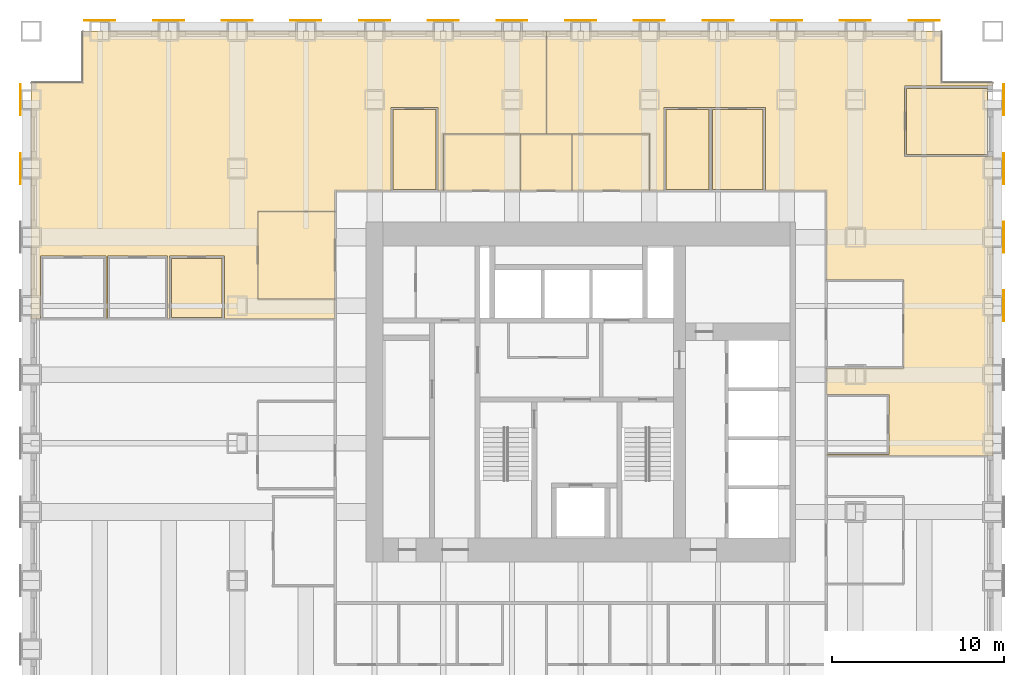
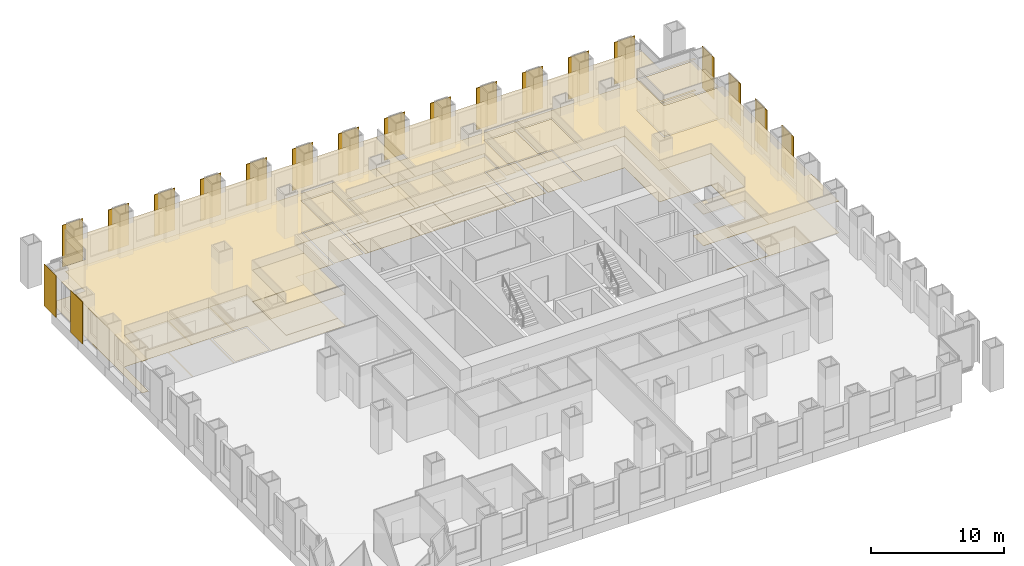
# One storey, part 14 of 14: 21 coverings, 19 shading devices.
"""IFC4 building model written with IfcOpenShell, lengths in metres."""

from ifc_helpers import new_model, si_unit, direction, frame, origin, origin_2d, place, context, subcontext, project, spatial, polyline, rectangle, outline, extrude, material, layer, layer_set, type_object, element, save


model = new_model("IFC4")

# Units and contexts
model_context = context("Model", 3, precision=1e-05, world=origin(), true_north=direction((0.0, 1.0)))
body_context = subcontext(model_context, "Body", "Model", "MODEL_VIEW")
ifc_project = project(units=[si_unit("LENGTHUNIT", "METRE"), si_unit("AREAUNIT", "SQUARE_METRE"), si_unit("VOLUMEUNIT", "CUBIC_METRE"), si_unit("PLANEANGLEUNIT", "RADIAN"), si_unit("MASSUNIT", "GRAM", prefix="KILO")], contexts=[model_context])

# Site, building, storey
site_placement = place(None, origin())
site = spatial("IfcSite", under=ifc_project, at=site_placement, CompositionType="ELEMENT")
building_placement = place(site_placement, origin())
building = spatial("IfcBuilding", under=site, at=building_placement, Name="Rimbunsela Tower", CompositionType="ELEMENT")
storey_placement = place(building_placement, frame((0.0, 0.0, 59.0)))
storey = spatial("IfcBuildingStorey", under=building, at=storey_placement, Name="L14", CompositionType="ELEMENT", Elevation=59.0)

# Coverings
ifc_material_1 = material(Name="Nylon carpet tile", Category="textile")
ifc_layer_1 = layer(ifc_material_1, 0.010009765625)
ifc_layer_set_1 = layer_set([ifc_layer_1], Name="Carpet tile 10")
covering_type_1 = type_object("IfcCoveringType", Name="Carpet tile 10", PredefinedType="FLOORING", material=ifc_layer_set_1)
covering_1_placement = place(storey_placement, origin())
element("IfcCovering", 1, at=covering_1_placement, inside=storey, type_object=covering_type_1, Name="Floor finish Open office", PredefinedType="FLOORING", context=body_context, shape_type="SweptSolid", body=[
    extrude(outline(polyline([(11.199951171875, 37.5), (11.199951171875, 32.39990234375), (15.699951171875, 32.39990234375), (15.699951171875, 31.2509765625), (9.25, 31.2509765625), (9.25, 34.89990234375), (6.050048828125, 34.89990234375), (6.050048828125, 31.2509765625), (5.949951171875, 31.2509765625), (5.949951171875, 34.89990234375), (2.449951171875, 34.89990234375), (2.449951171875, 31.2509765625), (2.35009765625, 31.2509765625), (2.35009765625, 34.89990234375), (-1.449951171875, 34.89990234375), (-1.449951171875, 31.2509765625), (-2.0, 31.2509765625), (-2.0, 45.0), (1.0, 45.0), (1.0, 48.0), (15.699951171875, 48.0), (27.9990234375, 48.0), (27.9990234375, 42.0), (22.0, 42.0), (22.0, 38.699951171875), (21.699951171875, 38.699951171875), (21.699951171875, 43.550048828125), (18.949951171875, 43.550048828125), (18.949951171875, 38.699951171875), (15.699951171875, 38.699951171875), (15.699951171875, 37.5), (11.199951171875, 37.5)])), origin(), (0.0, 0.0, 1.0), 0.010009765625),
])
covering_2_placement = place(storey_placement, origin())
element("IfcCovering", 2, at=covering_2_placement, inside=storey, type_object=covering_type_1, Name="Floor finish Open office", PredefinedType="FLOORING", context=body_context, shape_type="SweptSolid", body=[
    extrude(outline(polyline([(48.85009765625, 44.800048828125), (48.85009765625, 40.699951171875), (54.0, 40.699951171875), (54.0, 23.2509765625), (44.300048828125, 23.2509765625), (44.300048828125, 23.35009765625), (47.949951171875, 23.35009765625), (47.949951171875, 26.85009765625), (44.300048828125, 26.85009765625), (44.300048828125, 28.39990234375), (48.800048828125, 28.39990234375), (48.800048828125, 33.5), (44.300048828125, 33.5), (44.300048828125, 38.699951171875), (40.75, 38.699951171875), (40.75, 43.550048828125), (37.60009765625, 43.550048828125), (37.550048828125, 43.550048828125), (34.85009765625, 43.550048828125), (34.85009765625, 38.699951171875), (34.0, 38.699951171875), (34.0, 42.0), (28.0009765625, 42.0), (28.0009765625, 48.0), (44.300048828125, 48.0), (51.0, 48.0), (51.0, 45.0), (54.0, 45.0), (54.0, 44.800048828125), (48.85009765625, 44.800048828125)])), origin(), (0.0, 0.0, 1.0), 0.010009765625),
])
covering_3_placement = place(storey_placement, origin())
element("IfcCovering", 3, at=covering_3_placement, inside=storey, type_object=covering_type_1, Name="Floor finish Reception", PredefinedType="FLOORING", context=body_context, shape_type="SweptSolid", body=[
    extrude(outline(polyline([(15.699951171875, 32.39990234375), (15.699951171875, 37.5), (11.199951171875, 37.5), (11.199951171875, 32.39990234375), (15.699951171875, 32.39990234375)])), origin(), (0.0, 0.0, 1.0), 0.010009765625),
])
covering_4_placement = place(storey_placement, origin())
element("IfcCovering", 4, at=covering_4_placement, inside=storey, type_object=covering_type_1, Name="Floor finish Meeting room", PredefinedType="FLOORING", context=body_context, shape_type="SweptSolid", body=[
    extrude(outline(polyline([(53.699951171875, 40.824951171875), (53.699951171875, 44.675048828125), (48.97509765625, 44.675048828125), (48.97509765625, 40.824951171875), (53.699951171875, 40.824951171875)])), origin(), (0.0, 0.0, 1.0), 0.010009765625),
])
covering_5_placement = place(storey_placement, origin())
element("IfcCovering", 5, at=covering_5_placement, inside=storey, type_object=covering_type_1, Name="Floor finish Print and copy room", PredefinedType="FLOORING", context=body_context, shape_type="SweptSolid", body=[
    extrude(outline(polyline([(21.574951171875, 38.77490234375), (21.574951171875, 43.425048828125), (19.074951171875, 43.425048828125), (19.074951171875, 38.77490234375), (21.574951171875, 38.77490234375)])), origin(), (0.0, 0.0, 1.0), 0.010009765625),
])
covering_6_placement = place(storey_placement, origin())
element("IfcCovering", 6, at=covering_6_placement, inside=storey, type_object=covering_type_1, Name="Floor finish Office", PredefinedType="FLOORING", context=body_context, shape_type="SweptSolid", body=[
    extrude(outline(polyline([(9.125, 31.324951171875), (9.125, 34.77490234375), (6.175048828125, 34.77490234375), (6.175048828125, 31.324951171875), (9.125, 31.324951171875)])), origin(), (0.0, 0.0, 1.0), 0.010009765625),
])
covering_7_placement = place(storey_placement, origin())
element("IfcCovering", 7, at=covering_7_placement, inside=storey, type_object=covering_type_1, Name="Floor finish Print and copy room", PredefinedType="FLOORING", context=body_context, shape_type="SweptSolid", body=[
    extrude(outline(polyline([(37.47509765625, 38.77490234375), (37.47509765625, 43.425048828125), (34.97509765625, 43.425048828125), (34.97509765625, 38.77490234375), (37.47509765625, 38.77490234375)])), origin(), (0.0, 0.0, 1.0), 0.010009765625),
])
covering_8_placement = place(storey_placement, origin())
element("IfcCovering", 8, at=covering_8_placement, inside=storey, type_object=covering_type_1, Name="Floor finish Office", PredefinedType="FLOORING", context=body_context, shape_type="SweptSolid", body=[
    extrude(outline(polyline([(40.625, 38.77490234375), (40.625, 43.425048828125), (37.675048828125, 43.425048828125), (37.675048828125, 38.77490234375), (40.625, 38.77490234375)])), origin(), (0.0, 0.0, 1.0), 0.010009765625),
])
ifc_material_2 = material(Name="Mineral fibre ceiling tile", Category="gypsum")
ifc_layer_2 = layer(ifc_material_2, 0.02001953125)
ifc_layer_set_2 = layer_set([ifc_layer_2], Name="Ceiling 600 grid")
covering_type_2 = type_object("IfcCoveringType", Name="Ceiling 600 grid", PredefinedType="CEILING", material=ifc_layer_set_2)
covering_9_placement = place(storey_placement, frame((0.0, 0.0, 2.89990234375)))
element("IfcCovering", 9, at=covering_9_placement, inside=storey, type_object=covering_type_2, Name="Ceiling Open office", PredefinedType="CEILING", context=body_context, shape_type="SweptSolid", body=[
    extrude(outline(polyline([(11.199951171875, 37.5), (11.199951171875, 32.39990234375), (15.699951171875, 32.39990234375), (15.699951171875, 31.2509765625), (9.25, 31.2509765625), (9.25, 34.89990234375), (6.050048828125, 34.89990234375), (6.050048828125, 31.2509765625), (5.949951171875, 31.2509765625), (5.949951171875, 34.89990234375), (2.449951171875, 34.89990234375), (2.449951171875, 31.2509765625), (2.35009765625, 31.2509765625), (2.35009765625, 34.89990234375), (-1.449951171875, 34.89990234375), (-1.449951171875, 31.2509765625), (-2.0, 31.2509765625), (-2.0, 45.0), (1.0, 45.0), (1.0, 48.0), (15.699951171875, 48.0), (27.9990234375, 48.0), (27.9990234375, 42.0), (22.0, 42.0), (22.0, 38.699951171875), (21.699951171875, 38.699951171875), (21.699951171875, 43.550048828125), (18.949951171875, 43.550048828125), (18.949951171875, 38.699951171875), (15.699951171875, 38.699951171875), (15.699951171875, 37.5), (11.199951171875, 37.5)])), origin(), (0.0, 0.0, 1.0), 0.02001953125),
])
covering_10_placement = place(storey_placement, frame((0.0, 0.0, 2.89990234375)))
element("IfcCovering", 10, at=covering_10_placement, inside=storey, type_object=covering_type_2, Name="Ceiling Open office", PredefinedType="CEILING", context=body_context, shape_type="SweptSolid", body=[
    extrude(outline(polyline([(48.85009765625, 44.800048828125), (48.85009765625, 40.699951171875), (54.0, 40.699951171875), (54.0, 23.2509765625), (44.300048828125, 23.2509765625), (44.300048828125, 23.35009765625), (47.949951171875, 23.35009765625), (47.949951171875, 26.85009765625), (44.300048828125, 26.85009765625), (44.300048828125, 28.39990234375), (48.800048828125, 28.39990234375), (48.800048828125, 33.5), (44.300048828125, 33.5), (44.300048828125, 38.699951171875), (40.75, 38.699951171875), (40.75, 43.550048828125), (37.60009765625, 43.550048828125), (37.550048828125, 43.550048828125), (34.85009765625, 43.550048828125), (34.85009765625, 38.699951171875), (34.0, 38.699951171875), (34.0, 42.0), (28.0009765625, 42.0), (28.0009765625, 48.0), (44.300048828125, 48.0), (51.0, 48.0), (51.0, 45.0), (54.0, 45.0), (54.0, 44.800048828125), (48.85009765625, 44.800048828125)])), origin(), (0.0, 0.0, 1.0), 0.02001953125),
])
covering_11_placement = place(storey_placement, frame((0.0, 0.0, 2.89990234375)))
element("IfcCovering", 11, at=covering_11_placement, inside=storey, type_object=covering_type_2, Name="Ceiling Reception", PredefinedType="CEILING", context=body_context, shape_type="SweptSolid", body=[
    extrude(outline(polyline([(15.699951171875, 32.39990234375), (15.699951171875, 37.5), (11.199951171875, 37.5), (11.199951171875, 32.39990234375), (15.699951171875, 32.39990234375)])), origin(), (0.0, 0.0, 1.0), 0.02001953125),
])
covering_12_placement = place(storey_placement, frame((0.0, 0.0, 2.89990234375)))
element("IfcCovering", 12, at=covering_12_placement, inside=storey, type_object=covering_type_2, Name="Ceiling Meeting room", PredefinedType="CEILING", context=body_context, shape_type="SweptSolid", body=[
    extrude(outline(polyline([(53.699951171875, 40.824951171875), (53.699951171875, 44.675048828125), (48.97509765625, 44.675048828125), (48.97509765625, 40.824951171875), (53.699951171875, 40.824951171875)])), origin(), (0.0, 0.0, 1.0), 0.02001953125),
])
covering_13_placement = place(storey_placement, frame((0.0, 0.0, 2.89990234375)))
element("IfcCovering", 13, at=covering_13_placement, inside=storey, type_object=covering_type_2, Name="Ceiling Print and copy room", PredefinedType="CEILING", context=body_context, shape_type="SweptSolid", body=[
    extrude(outline(polyline([(21.574951171875, 38.77490234375), (21.574951171875, 43.425048828125), (19.074951171875, 43.425048828125), (19.074951171875, 38.77490234375), (21.574951171875, 38.77490234375)])), origin(), (0.0, 0.0, 1.0), 0.02001953125),
])
covering_14_placement = place(storey_placement, frame((0.0, 0.0, 2.89990234375)))
element("IfcCovering", 14, at=covering_14_placement, inside=storey, type_object=covering_type_2, Name="Ceiling Print and copy room", PredefinedType="CEILING", context=body_context, shape_type="SweptSolid", body=[
    extrude(outline(polyline([(37.47509765625, 38.77490234375), (37.47509765625, 43.425048828125), (34.97509765625, 43.425048828125), (34.97509765625, 38.77490234375), (37.47509765625, 38.77490234375)])), origin(), (0.0, 0.0, 1.0), 0.02001953125),
])
covering_15_placement = place(storey_placement, frame((0.0, 0.0, 2.89990234375)))
element("IfcCovering", 15, at=covering_15_placement, inside=storey, type_object=covering_type_2, Name="Ceiling Office", PredefinedType="CEILING", context=body_context, shape_type="SweptSolid", body=[
    extrude(outline(polyline([(40.625, 38.77490234375), (40.625, 43.425048828125), (37.675048828125, 43.425048828125), (37.675048828125, 38.77490234375), (40.625, 38.77490234375)])), origin(), (0.0, 0.0, 1.0), 0.02001953125),
])
ifc_material_3 = material(Name="Moisture-resistant plasterboard ceiling", Category="gypsum")
ifc_layer_3 = layer(ifc_material_3, 0.012451171875)
ifc_layer_set_3 = layer_set([ifc_layer_3], Name="Ceiling moisture-resistant board")
covering_type_3 = type_object("IfcCoveringType", Name="Ceiling moisture-resistant board", PredefinedType="CEILING", material=ifc_layer_set_3)
covering_16_placement = place(storey_placement, frame((0.0, 0.0, 2.60009765625)))
element("IfcCovering", 16, at=covering_16_placement, inside=storey, type_object=covering_type_3, Name="Ceiling Female WC", PredefinedType="CEILING", context=body_context, shape_type="SweptSolid", body=[
    extrude(outline(polyline([(26.5, 38.699951171875), (26.5, 42.0), (22.0, 42.0), (22.0, 38.699951171875), (26.5, 38.699951171875)])), origin(), (0.0, 0.0, 1.0), 0.02001953125),
])
covering_17_placement = place(storey_placement, frame((0.0, 0.0, 2.60009765625)))
element("IfcCovering", 17, at=covering_17_placement, inside=storey, type_object=covering_type_3, Name="Ceiling Accessible WC", PredefinedType="CEILING", context=body_context, shape_type="SweptSolid", body=[
    extrude(outline(polyline([(29.5, 38.699951171875), (29.5, 42.0), (26.5, 42.0), (26.5, 38.699951171875), (29.5, 38.699951171875)])), origin(), (0.0, 0.0, 1.0), 0.02001953125),
])
covering_18_placement = place(storey_placement, frame((0.0, 0.0, 2.60009765625)))
element("IfcCovering", 18, at=covering_18_placement, inside=storey, type_object=covering_type_3, Name="Ceiling Male WC", PredefinedType="CEILING", context=body_context, shape_type="SweptSolid", body=[
    extrude(outline(polyline([(34.0, 38.699951171875), (34.0, 42.0), (29.5, 42.0), (29.5, 38.699951171875), (34.0, 38.699951171875)])), origin(), (0.0, 0.0, 1.0), 0.02001953125),
])
ifc_material_4 = material(Name="Porcelain floor tile in adhesive bed", Category="ceramic")
ifc_layer_4 = layer(ifc_material_4, 0.02001953125)
ifc_layer_set_4 = layer_set([ifc_layer_4], Name="Porcelain tile 20")
covering_type_4 = type_object("IfcCoveringType", Name="Porcelain tile 20", PredefinedType="FLOORING", material=ifc_layer_set_4)
covering_19_placement = place(storey_placement, origin())
element("IfcCovering", 19, at=covering_19_placement, inside=storey, type_object=covering_type_4, Name="Floor finish Female WC", PredefinedType="FLOORING", context=body_context, shape_type="SweptSolid", body=[
    extrude(outline(polyline([(26.5, 38.699951171875), (26.5, 42.0), (22.0, 42.0), (22.0, 38.699951171875), (26.5, 38.699951171875)])), origin(), (0.0, 0.0, 1.0), 0.02001953125),
])
covering_20_placement = place(storey_placement, origin())
element("IfcCovering", 20, at=covering_20_placement, inside=storey, type_object=covering_type_4, Name="Floor finish Accessible WC", PredefinedType="FLOORING", context=body_context, shape_type="SweptSolid", body=[
    extrude(outline(polyline([(29.5, 38.699951171875), (29.5, 42.0), (26.5, 42.0), (26.5, 38.699951171875), (29.5, 38.699951171875)])), origin(), (0.0, 0.0, 1.0), 0.02001953125),
])
covering_21_placement = place(storey_placement, origin())
element("IfcCovering", 21, at=covering_21_placement, inside=storey, type_object=covering_type_4, Name="Floor finish Male WC", PredefinedType="FLOORING", context=body_context, shape_type="SweptSolid", body=[
    extrude(outline(polyline([(34.0, 38.699951171875), (34.0, 42.0), (29.5, 42.0), (29.5, 38.699951171875), (34.0, 38.699951171875)])), origin(), (0.0, 0.0, 1.0), 0.02001953125),
])

# Shading devices
ifc_material_5 = material(Name="Perforated aluminium, 35 % open area", Category="aluminium")
ifc_layer_5 = layer(ifc_material_5, 0.050048828125)
ifc_layer_set_5 = layer_set([ifc_layer_5], Name="Solar screen panel 1800")
shading_device_type = type_object("IfcShadingDeviceType", Name="Solar screen panel 1800", PredefinedType="USERDEFINED", material=ifc_layer_set_5)
for number, where, z_axis, x_axis, name in (
    (22, (54.625, 32.0, 0.0), (0.0, 0.0, 1.0), (0.0, 1.0, 0.0), "Solar screen E L14"),
    (23, (54.625, 36.0, 0.0), (0.0, 0.0, 1.0), (0.0, 1.0, 0.0), "Solar screen E L14"),
    (24, (54.625, 40.0, 0.0), (0.0, 0.0, 1.0), (0.0, 1.0, 0.0), "Solar screen E L14"),
    (25, (54.625, 44.0, 0.0), (0.0, 0.0, 1.0), (0.0, 1.0, 0.0), "Solar screen E L14"),
    (26, (2.0, 48.625, 0.0), (0.0, 0.0, 1.0), (1.0, 0.0, 0.0), "Solar screen N L14"),
    (27, (6.0, 48.625, 0.0), (0.0, 0.0, 1.0), (1.0, 0.0, 0.0), "Solar screen N L14"),
    (28, (10.0, 48.625, 0.0), (0.0, 0.0, 1.0), (1.0, 0.0, 0.0), "Solar screen N L14"),
    (29, (14.0, 48.625, 0.0), (0.0, 0.0, 1.0), (1.0, 0.0, 0.0), "Solar screen N L14"),
    (30, (18.0, 48.625, 0.0), (0.0, 0.0, 1.0), (1.0, 0.0, 0.0), "Solar screen N L14"),
    (31, (22.0, 48.625, 0.0), (0.0, 0.0, 1.0), (1.0, 0.0, 0.0), "Solar screen N L14"),
    (32, (26.0, 48.625, 0.0), (0.0, 0.0, 1.0), (1.0, 0.0, 0.0), "Solar screen N L14"),
    (33, (30.0, 48.625, 0.0), (0.0, 0.0, 1.0), (1.0, 0.0, 0.0), "Solar screen N L14"),
    (34, (34.0, 48.625, 0.0), (0.0, 0.0, 1.0), (1.0, 0.0, 0.0), "Solar screen N L14"),
    (35, (38.0, 48.625, 0.0), (0.0, 0.0, 1.0), (1.0, 0.0, 0.0), "Solar screen N L14"),
    (36, (42.0, 48.625, 0.0), (0.0, 0.0, 1.0), (1.0, 0.0, 0.0), "Solar screen N L14"),
    (37, (46.0, 48.625, 0.0), (0.0, 0.0, 1.0), (1.0, 0.0, 0.0), "Solar screen N L14"),
    (38, (50.0, 48.625, 0.0), (0.0, 0.0, 1.0), (1.0, 0.0, 0.0), "Solar screen N L14"),
    (39, (-2.625, 40.0, 0.0), (0.0, 0.0, 1.0), (0.0, 1.0, 0.0), "Solar screen W L14"),
    (40, (-2.625, 44.0, 0.0), (0.0, 0.0, 1.0), (0.0, 1.0, 0.0), "Solar screen W L14"),
):
    element("IfcShadingDevice", number, at=place(storey_placement, frame(where, z_axis=z_axis, x_axis=x_axis)), inside=storey, type_object=shading_device_type, Name=name, ObjectType="SCREEN", PredefinedType="USERDEFINED", context=body_context, shape_type="SweptSolid", body=[
        extrude(rectangle(XDim=1.800048828125, YDim=0.050048828125, at=origin_2d()), origin(), (0.0, 0.0, 1.0), 3.85009765625),
    ])

save(model, "model.ifc")
